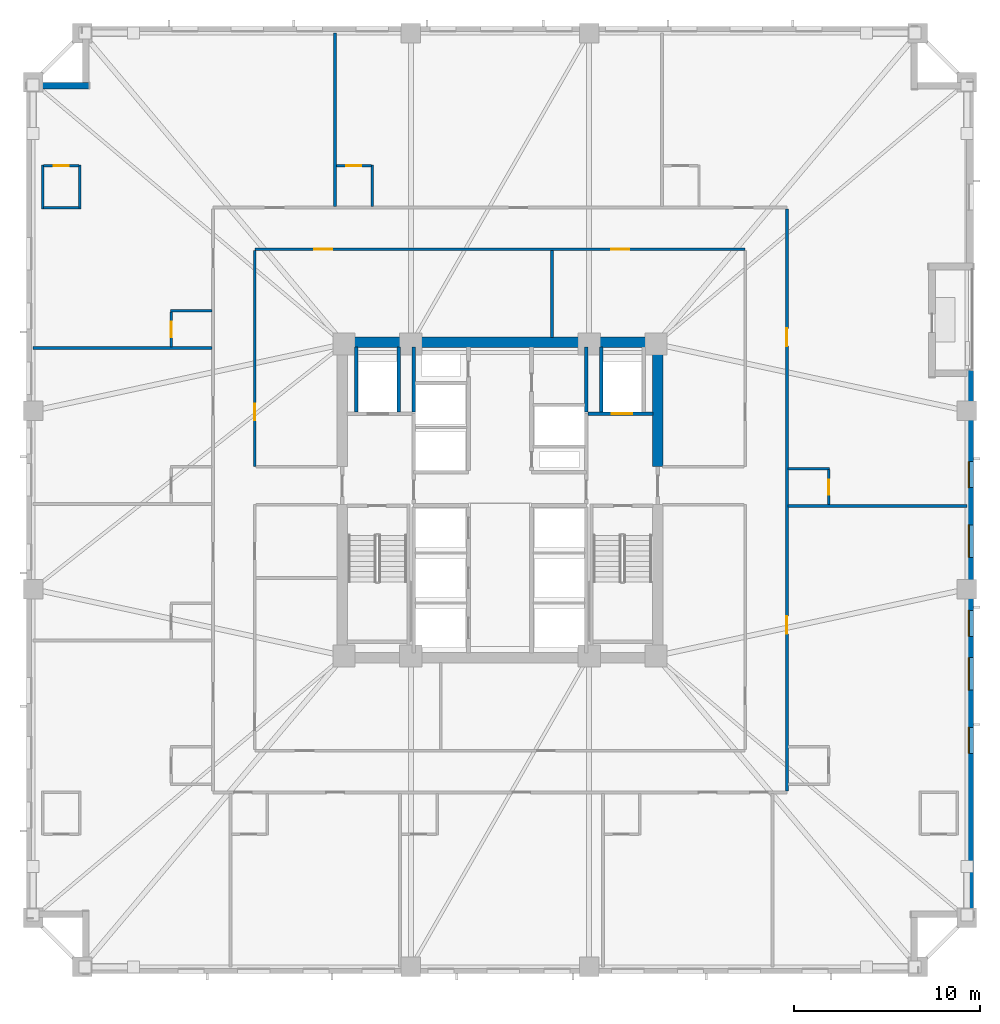
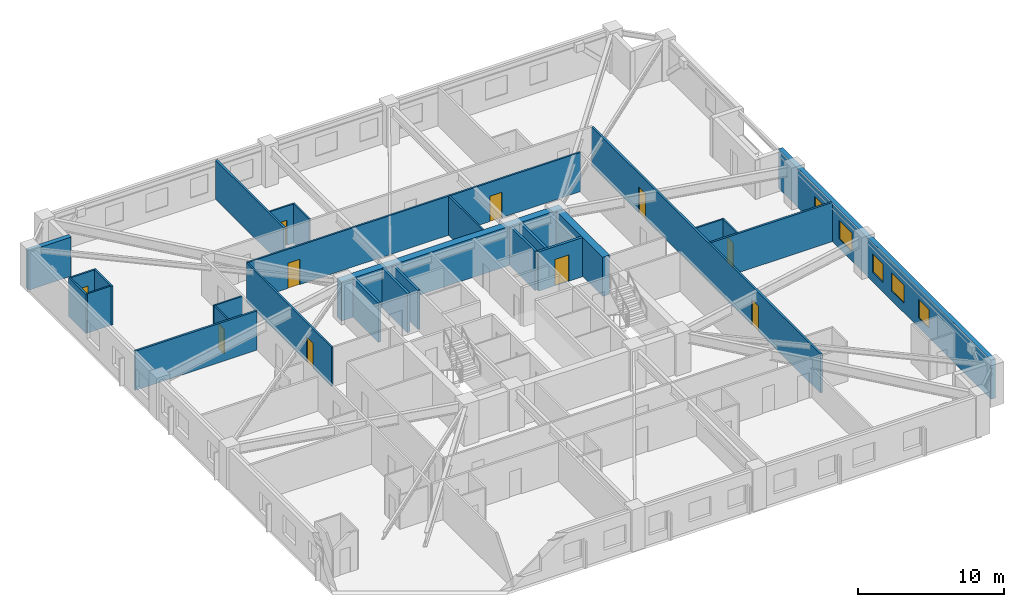
# One storey, part 5 of 12: 27 walls, 10 doors, 5 windows, 15 openings.
"""IFC4 building model written with IfcOpenShell, lengths in metres."""

from ifc_helpers import new_model, si_unit, direction, frame, frame_2d, origin, place, context, subcontext, project, spatial, rectangle, extrude, material, layer, layer_set, type_object, element, fill, save


model = new_model("IFC4")

# Units and contexts
model_context = context("Model", 3, precision=1e-05, world=origin(), true_north=direction((0.0, 1.0)))
body_context = subcontext(model_context, "Body", "Model", "MODEL_VIEW")
ifc_project = project(units=[si_unit("LENGTHUNIT", "METRE"), si_unit("AREAUNIT", "SQUARE_METRE"), si_unit("VOLUMEUNIT", "CUBIC_METRE"), si_unit("PLANEANGLEUNIT", "RADIAN"), si_unit("MASSUNIT", "GRAM", prefix="KILO")], contexts=[model_context])

# Site, building, storey
site_placement = place(None, origin())
site = spatial("IfcSite", under=ifc_project, at=site_placement, CompositionType="ELEMENT")
building_placement = place(site_placement, origin())
building = spatial("IfcBuilding", under=site, at=building_placement, Name="Cairnveth Concourse Tower", CompositionType="ELEMENT")
storey_placement = place(building_placement, frame((0.0, 0.0, 83.0)))
storey = spatial("IfcBuildingStorey", under=building, at=storey_placement, Name="L22", CompositionType="ELEMENT", Elevation=83.0)

# Wall, openings, doors
ifc_material_1 = material(Name="Gypsum Plasterboard Partition", Category="gypsum")
ifc_layer_1 = layer(ifc_material_1, 0.159912109375)
ifc_layer_set_1 = layer_set([ifc_layer_1], Name="Gypsum Plasterboard Partition")
wall_type_1 = type_object("IfcWallType", Name="ACOUSTIC PARTY WALL 180", PredefinedType="PARTITIONING", material=ifc_layer_set_1)
wall_1_placement = place(storey_placement, frame((67.449951171875, 23.31494140625, 0.0), z_axis=(0.0, 0.0, 1.0), x_axis=(0.0, 1.0, 0.0)))
wall_1 = element("IfcWall", 1, at=wall_1_placement, inside=storey, type_object=wall_type_1, Name="Interior Wall IW-L22-040", PredefinedType="PARTITIONING", context=body_context, shape_type="SweptSolid", body=[
    extrude(rectangle(XDim=31.3701171875, YDim=0.159912109375, at=frame_2d((15.68505859375, 0.0))), origin(), (0.0, 0.0, 1.0), 3.280029296875),
])
opening_1_placement = place(wall_1_placement, frame((8.47412109375, 0.0, 0.0)))
opening_1 = element("IfcOpeningElement", 2, at=opening_1_placement, cuts=wall_1, Name="Opening ID09", PredefinedType="OPENING", context=body_context, shape_type="SweptSolid", body=[
    extrude(rectangle(XDim=0.9599609375, YDim=2.14990234375, at=frame_2d((0.47998046875, 1.074951171875))), frame((0.0, 0.08984375, 0.0), z_axis=(0.0, -1.0, 0.0), x_axis=(1.0, 0.0, 0.0)), (0.0, 0.0, 1.0), 0.179931640625),
])
opening_2_placement = place(wall_1_placement, frame((23.97412109375, 0.0, 0.0)))
opening_2 = element("IfcOpeningElement", 3, at=opening_2_placement, cuts=wall_1, Name="Opening ID09", PredefinedType="OPENING", context=body_context, shape_type="SweptSolid", body=[
    extrude(rectangle(XDim=0.9599609375, YDim=2.14990234375, at=frame_2d((0.47998046875, 1.074951171875))), frame((0.0, 0.08984375, 0.0), z_axis=(0.0, -1.0, 0.0), x_axis=(1.0, 0.0, 0.0)), (0.0, 0.0, 1.0), 0.179931640625),
])
ifc_material_2 = material(Name="Solid Core Hardwood Timber Leaf", Category="wood")
door_type_1 = type_object("IfcDoorType", Name="HOTEL ENTRANCE DOOR 960X2150", OperationType="NOTDEFINED", PredefinedType="DOOR", material=ifc_material_2)
door_1_placement = place(opening_1_placement, origin())
door_1 = element("IfcDoor", 4, at=door_1_placement, inside=storey, type_object=door_type_1, Name="Hotel Room Door L22-E1", OperationType="SINGLE_SWING_LEFT", OverallHeight=2.14990234375, OverallWidth=0.9599609375, PredefinedType="DOOR", context=body_context, shape_type="SweptSolid", body=[
    extrude(rectangle(XDim=0.9599609375, YDim=2.14990234375, at=frame_2d((0.47998046875, 1.074951171875))), frame((0.0, 0.02490234375, 0.0), z_axis=(0.0, -1.0, 0.0), x_axis=(1.0, 0.0, 0.0)), (0.0, 0.0, 1.0), 0.050048828125),
])
fill(opening_1, door_1)
door_2_placement = place(opening_2_placement, origin())
door_2 = element("IfcDoor", 5, at=door_2_placement, inside=storey, type_object=door_type_1, Name="Hotel Room Door L22-E2", OperationType="SINGLE_SWING_LEFT", OverallHeight=2.14990234375, OverallWidth=0.9599609375, PredefinedType="DOOR", context=body_context, shape_type="SweptSolid", body=[
    extrude(rectangle(XDim=0.9599609375, YDim=2.14990234375, at=frame_2d((0.47998046875, 1.074951171875))), frame((0.0, 0.02490234375, 0.0), z_axis=(0.0, -1.0, 0.0), x_axis=(1.0, 0.0, 0.0)), (0.0, 0.0, 1.0), 0.050048828125),
])
fill(opening_2, door_2)

# Walls
wall_2_placement = place(storey_placement, frame((43.1201171875, 54.81494140625, 0.0), z_axis=(0.0, 0.0, 1.0), x_axis=(0.0, 1.0, 0.0)))
element("IfcWall", 6, at=wall_2_placement, inside=storey, type_object=wall_type_1, Name="Interior Wall IW-L22-076", PredefinedType="PARTITIONING", context=body_context, shape_type="SweptSolid", body=[
    extrude(rectangle(XDim=9.340087890625, YDim=0.159912109375, at=frame_2d((4.669921875, 0.0))), origin(), (0.0, 0.0, 1.0), 3.280029296875),
])
for number, where, z_axis, x_axis, name in (
    (7, (26.844970703125, 47.18701171875, 0.0), (0.0, 0.0, 1.0), (1.0, 0.0, 0.0), "Interior Wall IW-L22-091"),
    (8, (67.514892578125, 38.68798828125, 0.0), (0.0, 0.0, 1.0), (1.0, 0.0, 0.0), "Interior Wall IW-L22-097"),
):
    element("IfcWall", number, at=place(storey_placement, frame(where, z_axis=z_axis, x_axis=x_axis)), inside=storey, type_object=wall_type_1, Name=name, PredefinedType="PARTITIONING", context=body_context, shape_type="SweptSolid", body=[
        extrude(rectangle(XDim=9.64013671875, YDim=0.159912109375, at=frame_2d((4.820068359375, 0.0))), origin(), (0.0, 0.0, 1.0), 3.280029296875),
    ])
ifc_material_3 = material(Name="Concrete N80 (80 MPa)", Category="concrete")
ifc_layer_2 = layer(ifc_material_3, 0.550048828125)
ifc_layer_set_2 = layer_set([ifc_layer_2], Name="Concrete N80 (80 MPa)")
wall_type_2 = type_object("IfcWallType", Name="CORE SHEAR WALL 550", PredefinedType="SHEAR", material=ifc_layer_set_2)
wall_3_placement = place(storey_placement, frame((43.22509765625, 47.5, 0.0), z_axis=(0.0, 0.0, 1.0), x_axis=(1.0, 0.0, 0.0)))
element("IfcWall", 9, at=wall_3_placement, inside=storey, type_object=wall_type_2, Name="Core North Shear Wall L22", PredefinedType="SHEAR", context=body_context, shape_type="SweptSolid", body=[
    extrude(rectangle(XDim=17.5498046875, YDim=0.550048828125, at=frame_2d((8.77490234375, 0.0))), origin(), (0.0, 0.0, 1.0), 3.280029296875),
])
wall_4_placement = place(storey_placement, frame((60.5, 40.800048828125, 0.0), z_axis=(0.0, 0.0, 1.0), x_axis=(0.0, 1.0, 0.0)))
element("IfcWall", 10, at=wall_4_placement, inside=storey, type_object=wall_type_2, Name="Core East Shear Wall N L22", PredefinedType="SHEAR", context=body_context, shape_type="SweptSolid", body=[
    extrude(rectangle(XDim=6.43505859375, YDim=0.550048828125, at=frame_2d((3.217529296875, 0.0))), origin(), (0.0, 0.0, 1.0), 3.280029296875),
])
ifc_material_4 = material(Name="Concrete N50 (50 MPa)", Category="concrete")
ifc_layer_3 = layer(ifc_material_4, 0.179931640625)
ifc_layer_set_3 = layer_set([ifc_layer_3], Name="Concrete N50 (50 MPa)")
wall_type_3 = type_object("IfcWallType", Name="FIRE SHAFT WALL 180", PredefinedType="SOLIDWALL", material=ifc_layer_set_3)
for number, where, z_axis, x_axis, name in (
    (11, (47.35009765625, 43.735107421875, 0.0), (0.0, 0.0, 1.0), (0.0, 1.0, 0.0), "Interior Wall IW-L22-031"),
    (12, (56.64990234375, 43.735107421875, 0.0), (0.0, 0.0, 1.0), (0.0, 1.0, 0.0), "Interior Wall IW-L22-034"),
):
    element("IfcWall", number, at=place(storey_placement, frame(where, z_axis=z_axis, x_axis=x_axis)), inside=storey, type_object=wall_type_3, Name=name, PredefinedType="SOLIDWALL", context=body_context, shape_type="SweptSolid", body=[
        extrude(rectangle(XDim=3.5048828125, YDim=0.179931640625, at=frame_2d((1.75244140625, 0.0))), origin(), (0.0, 0.0, 1.0), 3.280029296875),
    ])
ifc_layer_4 = layer(ifc_material_4, 0.199951171875)
ifc_layer_set_4 = layer_set([ifc_layer_4], Name="Concrete N50 (50 MPa)")
wall_type_4 = type_object("IfcWallType", Name="FIRE SHAFT WALL 200", PredefinedType="SOLIDWALL", material=ifc_layer_set_4)
for number, where, z_axis, x_axis, name in (
    (13, (46.550048828125, 43.735107421875, 0.0), (0.0, 0.0, 1.0), (0.0, 1.0, 0.0), "Interior Wall IW-L22-018"),
    (14, (44.25, 43.735107421875, 0.0), (0.0, 0.0, 1.0), (0.0, 1.0, 0.0), "Interior Wall IW-L22-019"),
):
    element("IfcWall", number, at=place(storey_placement, frame(where, z_axis=z_axis, x_axis=x_axis)), inside=storey, type_object=wall_type_4, Name=name, PredefinedType="SOLIDWALL", context=body_context, shape_type="SweptSolid", body=[
        extrude(rectangle(XDim=3.5048828125, YDim=0.199951171875, at=frame_2d((1.75244140625, 0.0))), origin(), (0.0, 0.0, 1.0), 3.280029296875),
    ])

# Wall, opening, door
wall_5_placement = place(storey_placement, frame((56.735107421875, 43.64990234375, 0.0), z_axis=(0.0, 0.0, 1.0), x_axis=(1.0, 0.0, 0.0)))
wall_5 = element("IfcWall", 15, at=wall_5_placement, inside=storey, type_object=wall_type_4, Name="Interior Wall IW-L22-022", PredefinedType="SOLIDWALL", context=body_context, shape_type="SweptSolid", body=[
    extrude(rectangle(XDim=3.5048828125, YDim=0.199951171875, at=frame_2d((1.75244140625, 0.0))), origin(), (0.0, 0.0, 1.0), 3.280029296875),
])
opening_3_placement = place(wall_5_placement, frame((1.294921875, 0.0, 0.0)))
opening_3 = element("IfcOpeningElement", 16, at=opening_3_placement, cuts=wall_5, Name="Opening LD-1", PredefinedType="OPENING", context=body_context, shape_type="SweptSolid", body=[
    extrude(rectangle(XDim=1.10009765625, YDim=2.199951171875, at=frame_2d((0.550048828125, 1.10009765625))), frame((0.0, 0.10986328125, 0.0), z_axis=(0.0, -1.0, 0.0), x_axis=(1.0, 0.0, 0.0)), (0.0, 0.0, 1.0), 0.219970703125),
])
ifc_material_5 = material(Name="Architectural Bronze Anodised Aluminium 6063-T6", Category="aluminium")
door_type_2 = type_object("IfcDoorType", Name="LIFT LANDING DOOR 1100X2200", OperationType="SLIDING_TO_LEFT", PredefinedType="DOOR", material=ifc_material_5)
door_3_placement = place(opening_3_placement, origin())
door_3 = element("IfcDoor", 17, at=door_3_placement, inside=storey, type_object=door_type_2, Name="Lift FFL2 Landing Door L22", OperationType="SLIDING_TO_LEFT", OverallHeight=2.199951171875, OverallWidth=1.10009765625, PredefinedType="DOOR", context=body_context, shape_type="SweptSolid", body=[
    extrude(rectangle(XDim=1.10009765625, YDim=2.199951171875, at=frame_2d((0.550048828125, 1.10009765625))), frame((0.0, 0.02490234375, 0.0), z_axis=(0.0, -1.0, 0.0), x_axis=(1.0, 0.0, 0.0)), (0.0, 0.0, 1.0), 0.050048828125),
])
fill(opening_3, door_3)

# Wall
wall_6_placement = place(storey_placement, frame((57.449951171875, 43.735107421875, 0.0), z_axis=(0.0, 0.0, 1.0), x_axis=(0.0, 1.0, 0.0)))
element("IfcWall", 18, at=wall_6_placement, inside=storey, type_object=wall_type_4, Name="Interior Wall IW-L22-023", PredefinedType="SOLIDWALL", context=body_context, shape_type="SweptSolid", body=[
    extrude(rectangle(XDim=3.5048828125, YDim=0.199951171875, at=frame_2d((1.75244140625, 0.0))), origin(), (0.0, 0.0, 1.0), 3.280029296875),
])

# Wall, openings, doors
ifc_layer_5 = layer(ifc_material_1, 0.139892578125)
ifc_layer_set_5 = layer_set([ifc_layer_5], Name="Gypsum Plasterboard Partition")
wall_type_5 = type_object("IfcWallType", Name="GYPSUM STUD PARTITION 140", PredefinedType="PARTITIONING", material=ifc_layer_set_5)
wall_7_placement = place(storey_placement, frame((38.800048828125, 52.5, 0.0), z_axis=(0.0, 0.0, 1.0), x_axis=(1.0, 0.0, 0.0)))
wall_7 = element("IfcWall", 19, at=wall_7_placement, inside=storey, type_object=wall_type_5, Name="Interior Wall IW-L22-042", PredefinedType="PARTITIONING", context=body_context, shape_type="SweptSolid", body=[
    extrude(rectangle(XDim=26.39990234375, YDim=0.139892578125, at=frame_2d((13.199951171875, 0.0))), origin(), (0.0, 0.0, 1.0), 3.280029296875),
])
opening_4_placement = place(wall_7_placement, frame((3.199951171875, 0.0, 0.0)))
opening_4 = element("IfcOpeningElement", 20, at=opening_4_placement, cuts=wall_7, Name="Opening ID11", PredefinedType="OPENING", context=body_context, shape_type="SweptSolid", body=[
    extrude(rectangle(XDim=0.9599609375, YDim=2.1201171875, at=frame_2d((0.47998046875, 1.06005859375))), frame((0.0, 0.079833984375, 0.0), z_axis=(0.0, -1.0, 0.0), x_axis=(1.0, 0.0, 0.0)), (0.0, 0.0, 1.0), 0.159912109375),
])
opening_5_placement = place(wall_7_placement, frame((19.199951171875, 0.0, 0.0)))
opening_5 = element("IfcOpeningElement", 21, at=opening_5_placement, cuts=wall_7, Name="Opening ID11", PredefinedType="OPENING", context=body_context, shape_type="SweptSolid", body=[
    extrude(rectangle(XDim=0.9599609375, YDim=2.1201171875, at=frame_2d((0.47998046875, 1.06005859375))), frame((0.0, 0.079833984375, 0.0), z_axis=(0.0, -1.0, 0.0), x_axis=(1.0, 0.0, 0.0)), (0.0, 0.0, 1.0), 0.159912109375),
])
door_type_3 = type_object("IfcDoorType", Name="INTERIOR SINGLE DOOR 960X2150", OperationType="NOTDEFINED", PredefinedType="DOOR", material=ifc_material_2)
door_4_placement = place(opening_4_placement, origin())
door_4 = element("IfcDoor", 22, at=door_4_placement, inside=storey, type_object=door_type_3, Name="Interior Door DR-L22-015", OperationType="SINGLE_SWING_LEFT", OverallHeight=2.1201171875, OverallWidth=0.9599609375, PredefinedType="DOOR", context=body_context, shape_type="SweptSolid", body=[
    extrude(rectangle(XDim=0.9599609375, YDim=2.1201171875, at=frame_2d((0.47998046875, 1.06005859375))), frame((0.0, 0.02490234375, 0.0), z_axis=(0.0, -1.0, 0.0), x_axis=(1.0, 0.0, 0.0)), (0.0, 0.0, 1.0), 0.050048828125),
])
fill(opening_4, door_4)
door_5_placement = place(opening_5_placement, origin())
door_5 = element("IfcDoor", 23, at=door_5_placement, inside=storey, type_object=door_type_3, Name="Interior Door DR-L22-016", OperationType="SINGLE_SWING_RIGHT", OverallHeight=2.1201171875, OverallWidth=0.9599609375, PredefinedType="DOOR", context=body_context, shape_type="SweptSolid", body=[
    extrude(rectangle(XDim=0.9599609375, YDim=2.1201171875, at=frame_2d((0.47998046875, 1.06005859375))), frame((0.0, 0.02490234375, 0.0), z_axis=(0.0, -1.0, 0.0), x_axis=(1.0, 0.0, 0.0)), (0.0, 0.0, 1.0), 0.050048828125),
])
fill(opening_5, door_5)

# Wall, opening, door
wall_8_placement = place(storey_placement, frame((38.800048828125, 40.800048828125, 0.0), z_axis=(0.0, 0.0, 1.0), x_axis=(0.0, 1.0, 0.0)))
wall_8 = element("IfcWall", 24, at=wall_8_placement, inside=storey, type_object=wall_type_5, Name="Interior Wall IW-L22-044", PredefinedType="PARTITIONING", context=body_context, shape_type="SweptSolid", body=[
    extrude(rectangle(XDim=11.64501953125, YDim=0.139892578125, at=frame_2d((5.822509765625, 0.0))), origin(), (0.0, 0.0, 1.0), 3.280029296875),
])
opening_6_placement = place(wall_8_placement, frame((2.5, 0.0, 0.0)))
opening_6 = element("IfcOpeningElement", 25, at=opening_6_placement, cuts=wall_8, Name="Opening ID18", PredefinedType="OPENING", context=body_context, shape_type="SweptSolid", body=[
    extrude(rectangle(XDim=0.8798828125, YDim=2.10009765625, at=frame_2d((0.43994140625, 1.050048828125))), frame((0.0, 0.079833984375, 0.0), z_axis=(0.0, -1.0, 0.0), x_axis=(1.0, 0.0, 0.0)), (0.0, 0.0, 1.0), 0.159912109375),
])
door_type_4 = type_object("IfcDoorType", Name="INTERIOR SINGLE DOOR 880X2100", OperationType="NOTDEFINED", PredefinedType="DOOR", material=ifc_material_2)
door_6_placement = place(opening_6_placement, origin())
door_6 = element("IfcDoor", 26, at=door_6_placement, inside=storey, type_object=door_type_4, Name="Interior Door DR-L22-019", OperationType="SINGLE_SWING_LEFT", OverallHeight=2.10009765625, OverallWidth=0.8798828125, PredefinedType="DOOR", context=body_context, shape_type="SweptSolid", body=[
    extrude(rectangle(XDim=0.8798828125, YDim=2.10009765625, at=frame_2d((0.43994140625, 1.050048828125))), frame((0.0, 0.02490234375, 0.0), z_axis=(0.0, -1.0, 0.0), x_axis=(1.0, 0.0, 0.0)), (0.0, 0.0, 1.0), 0.050048828125),
])
fill(opening_6, door_6)

# Walls
wall_9_placement = place(storey_placement, frame((54.800048828125, 47.760009765625, 0.0), z_axis=(0.0, 0.0, 1.0), x_axis=(0.0, 1.0, 0.0)))
element("IfcWall", 27, at=wall_9_placement, inside=storey, type_object=wall_type_5, Name="Interior Wall IW-L22-052", PredefinedType="PARTITIONING", context=body_context, shape_type="SweptSolid", body=[
    extrude(rectangle(XDim=4.68505859375, YDim=0.139892578125, at=frame_2d((2.342529296875, 0.0))), origin(), (0.0, 0.0, 1.0), 3.280029296875),
])
ifc_layer_6 = layer(ifc_material_1, 0.1298828125)
ifc_layer_set_6 = layer_set([ifc_layer_6], Name="Gypsum Plasterboard Partition")
wall_type_6 = type_object("IfcWallType", Name="WET AREA PARTITION 140", PredefinedType="PLUMBINGWALL", material=ifc_layer_set_6)
for number, where, z_axis, x_axis, name in (
    (28, (27.3701171875, 54.669921875, 0.0), (0.0, 0.0, 1.0), (0.0, 1.0, 0.0), "Interior Wall IW-L22-072"),
    (29, (29.3701171875, 54.669921875, 0.0), (0.0, 0.0, 1.0), (0.0, 1.0, 0.0), "Interior Wall IW-L22-073"),
):
    element("IfcWall", number, at=place(storey_placement, frame(where, z_axis=z_axis, x_axis=x_axis)), inside=storey, type_object=wall_type_6, Name=name, PredefinedType="PLUMBINGWALL", context=body_context, shape_type="SweptSolid", body=[
        extrude(rectangle(XDim=2.380126953125, YDim=0.1298828125, at=frame_2d((1.18994140625, 0.0))), origin(), (0.0, 0.0, 1.0), 3.280029296875),
    ])

# Wall, opening, door
wall_10_placement = place(storey_placement, frame((27.419921875, 57.0, 0.0), z_axis=(0.0, 0.0, 1.0), x_axis=(1.0, 0.0, 0.0)))
wall_10 = element("IfcWall", 30, at=wall_10_placement, inside=storey, type_object=wall_type_6, Name="Interior Wall IW-L22-074", PredefinedType="PLUMBINGWALL", context=body_context, shape_type="SweptSolid", body=[
    extrude(rectangle(XDim=1.900146484375, YDim=0.1298828125, at=frame_2d((0.9501953125, 0.0))), origin(), (0.0, 0.0, 1.0), 3.280029296875),
])
opening_7_placement = place(wall_10_placement, frame((0.5400390625, 0.0, 0.0)))
opening_7 = element("IfcOpeningElement", 31, at=opening_7_placement, cuts=wall_10, Name="Opening ID22", PredefinedType="OPENING", context=body_context, shape_type="SweptSolid", body=[
    extrude(rectangle(XDim=0.820068359375, YDim=2.10009765625, at=frame_2d((0.41015625, 1.050048828125))), frame((0.0, 0.074951171875, 0.0), z_axis=(0.0, -1.0, 0.0), x_axis=(1.0, 0.0, 0.0)), (0.0, 0.0, 1.0), 0.14990234375),
])
door_type_5 = type_object("IfcDoorType", Name="INTERIOR WC DOOR 820X2100", OperationType="NOTDEFINED", PredefinedType="DOOR", material=ifc_material_2)
door_7_placement = place(opening_7_placement, origin())
door_7 = element("IfcDoor", 32, at=door_7_placement, inside=storey, type_object=door_type_5, Name="En-Suite Door L22-N1", OperationType="SINGLE_SWING_RIGHT", OverallHeight=2.10009765625, OverallWidth=0.820068359375, PredefinedType="DOOR", context=body_context, shape_type="SweptSolid", body=[
    extrude(rectangle(XDim=0.820068359375, YDim=2.10009765625, at=frame_2d((0.41015625, 1.050048828125))), frame((0.0, 0.02490234375, 0.0), z_axis=(0.0, -1.0, 0.0), x_axis=(1.0, 0.0, 0.0)), (0.0, 0.0, 1.0), 0.050048828125),
])
fill(opening_7, door_7)

# Walls
wall_11_placement = place(storey_placement, frame((27.419921875, 54.75, 0.0), z_axis=(0.0, 0.0, 1.0), x_axis=(1.0, 0.0, 0.0)))
element("IfcWall", 33, at=wall_11_placement, inside=storey, type_object=wall_type_6, Name="Interior Wall IW-L22-075", PredefinedType="PLUMBINGWALL", context=body_context, shape_type="SweptSolid", body=[
    extrude(rectangle(XDim=1.900146484375, YDim=0.1298828125, at=frame_2d((0.9501953125, 0.0))), origin(), (0.0, 0.0, 1.0), 3.280029296875),
])
wall_12_placement = place(storey_placement, frame((45.1201171875, 54.81494140625, 0.0), z_axis=(0.0, 0.0, 1.0), x_axis=(0.0, 1.0, 0.0)))
element("IfcWall", 34, at=wall_12_placement, inside=storey, type_object=wall_type_6, Name="Interior Wall IW-L22-077", PredefinedType="PLUMBINGWALL", context=body_context, shape_type="SweptSolid", body=[
    extrude(rectangle(XDim=2.235107421875, YDim=0.1298828125, at=frame_2d((1.11767578125, 0.0))), origin(), (0.0, 0.0, 1.0), 3.280029296875),
])

# Wall, opening, door
wall_13_placement = place(storey_placement, frame((43.18505859375, 57.0, 0.0), z_axis=(0.0, 0.0, 1.0), x_axis=(1.0, 0.0, 0.0)))
wall_13 = element("IfcWall", 35, at=wall_13_placement, inside=storey, type_object=wall_type_6, Name="Interior Wall IW-L22-078", PredefinedType="PLUMBINGWALL", context=body_context, shape_type="SweptSolid", body=[
    extrude(rectangle(XDim=1.885009765625, YDim=0.1298828125, at=frame_2d((0.9423828125, 0.0))), origin(), (0.0, 0.0, 1.0), 3.280029296875),
])
opening_8_placement = place(wall_13_placement, frame((0.52490234375, 0.0, 0.0)))
opening_8 = element("IfcOpeningElement", 36, at=opening_8_placement, cuts=wall_13, Name="Opening ID22", PredefinedType="OPENING", context=body_context, shape_type="SweptSolid", body=[
    extrude(rectangle(XDim=0.820068359375, YDim=2.10009765625, at=frame_2d((0.41015625, 1.050048828125))), frame((0.0, 0.074951171875, 0.0), z_axis=(0.0, -1.0, 0.0), x_axis=(1.0, 0.0, 0.0)), (0.0, 0.0, 1.0), 0.14990234375),
])
door_8_placement = place(opening_8_placement, origin())
door_8 = element("IfcDoor", 37, at=door_8_placement, inside=storey, type_object=door_type_5, Name="En-Suite Door L22-N2", OperationType="SINGLE_SWING_RIGHT", OverallHeight=2.10009765625, OverallWidth=0.820068359375, PredefinedType="DOOR", context=body_context, shape_type="SweptSolid", body=[
    extrude(rectangle(XDim=0.820068359375, YDim=2.10009765625, at=frame_2d((0.41015625, 1.050048828125))), frame((0.0, 0.02490234375, 0.0), z_axis=(0.0, -1.0, 0.0), x_axis=(1.0, 0.0, 0.0)), (0.0, 0.0, 1.0), 0.050048828125),
])
fill(opening_8, door_8)

# Wall
wall_14_placement = place(storey_placement, frame((34.25, 49.18701171875, 0.0), z_axis=(0.0, 0.0, 1.0), x_axis=(1.0, 0.0, 0.0)))
element("IfcWall", 38, at=wall_14_placement, inside=storey, type_object=wall_type_6, Name="Interior Wall IW-L22-092", PredefinedType="PLUMBINGWALL", context=body_context, shape_type="SweptSolid", body=[
    extrude(rectangle(XDim=2.235107421875, YDim=0.1298828125, at=frame_2d((1.11767578125, 0.0))), origin(), (0.0, 0.0, 1.0), 3.280029296875),
])

# Wall, opening, door
wall_15_placement = place(storey_placement, frame((34.300048828125, 47.251953125, 0.0), z_axis=(0.0, 0.0, 1.0), x_axis=(0.0, 1.0, 0.0)))
wall_15 = element("IfcWall", 39, at=wall_15_placement, inside=storey, type_object=wall_type_6, Name="Interior Wall IW-L22-093", PredefinedType="PLUMBINGWALL", context=body_context, shape_type="SweptSolid", body=[
    extrude(rectangle(XDim=1.885009765625, YDim=0.1298828125, at=frame_2d((0.9423828125, 0.0))), origin(), (0.0, 0.0, 1.0), 3.280029296875),
])
opening_9_placement = place(wall_15_placement, frame((0.52490234375, 0.0, 0.0)))
opening_9 = element("IfcOpeningElement", 40, at=opening_9_placement, cuts=wall_15, Name="Opening ID22", PredefinedType="OPENING", context=body_context, shape_type="SweptSolid", body=[
    extrude(rectangle(XDim=0.820068359375, YDim=2.10009765625, at=frame_2d((0.41015625, 1.050048828125))), frame((0.0, 0.074951171875, 0.0), z_axis=(0.0, -1.0, 0.0), x_axis=(1.0, 0.0, 0.0)), (0.0, 0.0, 1.0), 0.14990234375),
])
door_9_placement = place(opening_9_placement, origin())
door_9 = element("IfcDoor", 41, at=door_9_placement, inside=storey, type_object=door_type_5, Name="En-Suite Door L22-W4", OperationType="SINGLE_SWING_RIGHT", OverallHeight=2.10009765625, OverallWidth=0.820068359375, PredefinedType="DOOR", context=body_context, shape_type="SweptSolid", body=[
    extrude(rectangle(XDim=0.820068359375, YDim=2.10009765625, at=frame_2d((0.41015625, 1.050048828125))), frame((0.0, 0.02490234375, 0.0), z_axis=(0.0, -1.0, 0.0), x_axis=(1.0, 0.0, 0.0)), (0.0, 0.0, 1.0), 0.050048828125),
])
fill(opening_9, door_9)

# Wall
wall_16_placement = place(storey_placement, frame((67.514892578125, 40.68798828125, 0.0), z_axis=(0.0, 0.0, 1.0), x_axis=(1.0, 0.0, 0.0)))
element("IfcWall", 42, at=wall_16_placement, inside=storey, type_object=wall_type_6, Name="Interior Wall IW-L22-098", PredefinedType="PLUMBINGWALL", context=body_context, shape_type="SweptSolid", body=[
    extrude(rectangle(XDim=2.235107421875, YDim=0.1298828125, at=frame_2d((1.11767578125, 0.0))), origin(), (0.0, 0.0, 1.0), 3.280029296875),
])

# Wall, opening, door
wall_17_placement = place(storey_placement, frame((69.699951171875, 38.7529296875, 0.0), z_axis=(0.0, 0.0, 1.0), x_axis=(0.0, 1.0, 0.0)))
wall_17 = element("IfcWall", 43, at=wall_17_placement, inside=storey, type_object=wall_type_6, Name="Interior Wall IW-L22-099", PredefinedType="PLUMBINGWALL", context=body_context, shape_type="SweptSolid", body=[
    extrude(rectangle(XDim=1.885009765625, YDim=0.1298828125, at=frame_2d((0.9423828125, 0.0))), origin(), (0.0, 0.0, 1.0), 3.280029296875),
])
opening_10_placement = place(wall_17_placement, frame((0.52490234375, 0.0, 0.0)))
opening_10 = element("IfcOpeningElement", 44, at=opening_10_placement, cuts=wall_17, Name="Opening ID22", PredefinedType="OPENING", context=body_context, shape_type="SweptSolid", body=[
    extrude(rectangle(XDim=0.820068359375, YDim=2.10009765625, at=frame_2d((0.41015625, 1.050048828125))), frame((0.0, 0.074951171875, 0.0), z_axis=(0.0, -1.0, 0.0), x_axis=(1.0, 0.0, 0.0)), (0.0, 0.0, 1.0), 0.14990234375),
])
door_10_placement = place(opening_10_placement, origin())
door_10 = element("IfcDoor", 45, at=door_10_placement, inside=storey, type_object=door_type_5, Name="En-Suite Door L22-E2", OperationType="SINGLE_SWING_RIGHT", OverallHeight=2.10009765625, OverallWidth=0.820068359375, PredefinedType="DOOR", context=body_context, shape_type="SweptSolid", body=[
    extrude(rectangle(XDim=0.820068359375, YDim=2.10009765625, at=frame_2d((0.41015625, 1.050048828125))), frame((0.0, 0.02490234375, 0.0), z_axis=(0.0, -1.0, 0.0), x_axis=(1.0, 0.0, 0.0)), (0.0, 0.0, 1.0), 0.050048828125),
])
fill(opening_10, door_10)

# Wall, openings, windows
ifc_material_6 = material(Name="Hawthorn Red-Ochre Fired Clay Brick Masonry", Category="masonry")
ifc_layer_7 = layer(ifc_material_6, 0.360107421875)
ifc_layer_set_7 = layer_set([ifc_layer_7], Name="Hawthorn Red-Ochre Fired Clay Brick Masonry")
wall_type_7 = type_object("IfcWallType", Name="ZONE 1 BRICK PIER SPANDREL WALL 360", PredefinedType="SOLIDWALL", material=ifc_layer_set_7)
wall_18_placement = place(storey_placement, frame((77.320068359375, 46.0, 0.0), z_axis=(0.0, 0.0, 1.0), x_axis=(0.0, -1.0, 0.0)))
wall_18 = element("IfcWall", 46, at=wall_18_placement, inside=storey, type_object=wall_type_7, Name="Exterior Wall EW-L22-S00", PredefinedType="SOLIDWALL", context=body_context, shape_type="SweptSolid", body=[
    extrude(rectangle(XDim=29.162109375, YDim=0.360107421875, at=frame_2d((14.5810546875, 0.0))), origin(), (0.0, 0.0, 1.0), 3.280029296875),
])
opening_11_placement = place(wall_18_placement, frame((4.9384765625, 0.0, 0.800048828125)))
opening_11 = element("IfcOpeningElement", 47, at=opening_11_placement, cuts=wall_18, Name="Opening W05", PredefinedType="OPENING", context=body_context, shape_type="SweptSolid", body=[
    extrude(rectangle(XDim=1.39990234375, YDim=1.5439453125, at=frame_2d((0.699951171875, 0.77197265625))), frame((0.0, 0.18994140625, 0.0), z_axis=(0.0, -1.0, 0.0), x_axis=(1.0, 0.0, 0.0)), (0.0, 0.0, 1.0), 0.380126953125),
])
opening_12_placement = place(wall_18_placement, frame((8.340576171875, 0.0, 0.800048828125)))
opening_12 = element("IfcOpeningElement", 48, at=opening_12_placement, cuts=wall_18, Name="Opening W06", PredefinedType="OPENING", context=body_context, shape_type="SweptSolid", body=[
    extrude(rectangle(XDim=1.75, YDim=1.5439453125, at=frame_2d((0.875, 0.77197265625))), frame((0.0, 0.18994140625, 0.0), z_axis=(0.0, -1.0, 0.0), x_axis=(1.0, 0.0, 0.0)), (0.0, 0.0, 1.0), 0.380126953125),
])
opening_13_placement = place(wall_18_placement, frame((12.9423828125, 0.0, 0.800048828125)))
opening_13 = element("IfcOpeningElement", 49, at=opening_13_placement, cuts=wall_18, Name="Opening W05", PredefinedType="OPENING", context=body_context, shape_type="SweptSolid", body=[
    extrude(rectangle(XDim=1.39990234375, YDim=1.5439453125, at=frame_2d((0.699951171875, 0.77197265625))), frame((0.0, 0.18994140625, 0.0), z_axis=(0.0, -1.0, 0.0), x_axis=(1.0, 0.0, 0.0)), (0.0, 0.0, 1.0), 0.380126953125),
])
opening_14_placement = place(wall_18_placement, frame((15.494384765625, 0.0, 0.800048828125)))
opening_14 = element("IfcOpeningElement", 50, at=opening_14_placement, cuts=wall_18, Name="Opening W06", PredefinedType="OPENING", context=body_context, shape_type="SweptSolid", body=[
    extrude(rectangle(XDim=1.75, YDim=1.5439453125, at=frame_2d((0.875, 0.77197265625))), frame((0.0, 0.18994140625, 0.0), z_axis=(0.0, -1.0, 0.0), x_axis=(1.0, 0.0, 0.0)), (0.0, 0.0, 1.0), 0.380126953125),
])
opening_15_placement = place(wall_18_placement, frame((19.24658203125, 0.0, 0.800048828125)))
opening_15 = element("IfcOpeningElement", 51, at=opening_15_placement, cuts=wall_18, Name="Opening W05", PredefinedType="OPENING", context=body_context, shape_type="SweptSolid", body=[
    extrude(rectangle(XDim=1.39990234375, YDim=1.5439453125, at=frame_2d((0.699951171875, 0.77197265625))), frame((0.0, 0.18994140625, 0.0), z_axis=(0.0, -1.0, 0.0), x_axis=(1.0, 0.0, 0.0)), (0.0, 0.0, 1.0), 0.380126953125),
])
ifc_material_7 = material(Name="Double Glazed Low-E Clear Glass", Category="glass")
window_type_1 = type_object("IfcWindowType", Name="DEEP-SET HOTEL CASEMENT WINDOW 1400X1750", PartitioningType="DOUBLE_PANEL_VERTICAL", PredefinedType="WINDOW", material=ifc_material_7)
window_1_placement = place(opening_11_placement, origin())
window_1 = element("IfcWindow", 52, at=window_1_placement, inside=storey, type_object=window_type_1, Name="Gothic Lancet Window L22-0-1", OverallHeight=1.5439453125, OverallWidth=1.39990234375, PartitioningType="SINGLE_PANEL", PredefinedType="WINDOW", context=body_context, shape_type="SweptSolid", body=[
    extrude(rectangle(XDim=1.39990234375, YDim=1.5439453125, at=frame_2d((0.699951171875, 0.77197265625))), frame((0.0, -0.050048828125, 0.0), z_axis=(0.0, -1.0, 0.0), x_axis=(1.0, 0.0, 0.0)), (0.0, 0.0, 1.0), 0.06005859375),
])
fill(opening_11, window_1)
window_2_placement = place(opening_13_placement, origin())
window_2 = element("IfcWindow", 53, at=window_2_placement, inside=storey, type_object=window_type_1, Name="Gothic Lancet Window L22-0-3", OverallHeight=1.5439453125, OverallWidth=1.39990234375, PartitioningType="SINGLE_PANEL", PredefinedType="WINDOW", context=body_context, shape_type="SweptSolid", body=[
    extrude(rectangle(XDim=1.39990234375, YDim=1.5439453125, at=frame_2d((0.699951171875, 0.77197265625))), frame((0.0, -0.050048828125, 0.0), z_axis=(0.0, -1.0, 0.0), x_axis=(1.0, 0.0, 0.0)), (0.0, 0.0, 1.0), 0.06005859375),
])
fill(opening_13, window_2)
window_3_placement = place(opening_15_placement, origin())
window_3 = element("IfcWindow", 54, at=window_3_placement, inside=storey, type_object=window_type_1, Name="Gothic Lancet Window L22-0-5", OverallHeight=1.5439453125, OverallWidth=1.39990234375, PartitioningType="SINGLE_PANEL", PredefinedType="WINDOW", context=body_context, shape_type="SweptSolid", body=[
    extrude(rectangle(XDim=1.39990234375, YDim=1.5439453125, at=frame_2d((0.699951171875, 0.77197265625))), frame((0.0, -0.050048828125, 0.0), z_axis=(0.0, -1.0, 0.0), x_axis=(1.0, 0.0, 0.0)), (0.0, 0.0, 1.0), 0.06005859375),
])
fill(opening_15, window_3)
window_type_2 = type_object("IfcWindowType", Name="DEEP-SET HOTEL SUITE WINDOW 1750X1800", PartitioningType="DOUBLE_PANEL_VERTICAL", PredefinedType="WINDOW", material=ifc_material_7)
window_4_placement = place(opening_12_placement, origin())
window_4 = element("IfcWindow", 55, at=window_4_placement, inside=storey, type_object=window_type_2, Name="Gothic Lancet Window L22-0-2", OverallHeight=1.5439453125, OverallWidth=1.75, PartitioningType="SINGLE_PANEL", PredefinedType="WINDOW", context=body_context, shape_type="SweptSolid", body=[
    extrude(rectangle(XDim=1.75, YDim=1.5439453125, at=frame_2d((0.875, 0.77197265625))), frame((0.0, -0.050048828125, 0.0), z_axis=(0.0, -1.0, 0.0), x_axis=(1.0, 0.0, 0.0)), (0.0, 0.0, 1.0), 0.06005859375),
])
fill(opening_12, window_4)
window_5_placement = place(opening_14_placement, origin())
window_5 = element("IfcWindow", 56, at=window_5_placement, inside=storey, type_object=window_type_2, Name="Gothic Lancet Window L22-0-4", OverallHeight=1.5439453125, OverallWidth=1.75, PartitioningType="SINGLE_PANEL", PredefinedType="WINDOW", context=body_context, shape_type="SweptSolid", body=[
    extrude(rectangle(XDim=1.75, YDim=1.5439453125, at=frame_2d((0.875, 0.77197265625))), frame((0.0, -0.050048828125, 0.0), z_axis=(0.0, -1.0, 0.0), x_axis=(1.0, 0.0, 0.0)), (0.0, 0.0, 1.0), 0.06005859375),
])
fill(opening_14, window_5)

# Wall
wall_19_placement = place(storey_placement, frame((26.5, 61.320068359375, 0.0), z_axis=(0.0, 0.0, 1.0), x_axis=(1.0, 0.0, 0.0)))
element("IfcWall", 57, at=wall_19_placement, inside=storey, type_object=wall_type_7, Name="Exterior Wall EW-L22-S07", PredefinedType="SOLIDWALL", context=body_context, shape_type="SweptSolid", body=[
    extrude(rectangle(XDim=3.360107421875, YDim=0.360107421875, at=frame_2d((1.68017578125, 0.0))), origin(), (0.0, 0.0, 1.0), 3.280029296875),
])

save(model, "model.ifc")
